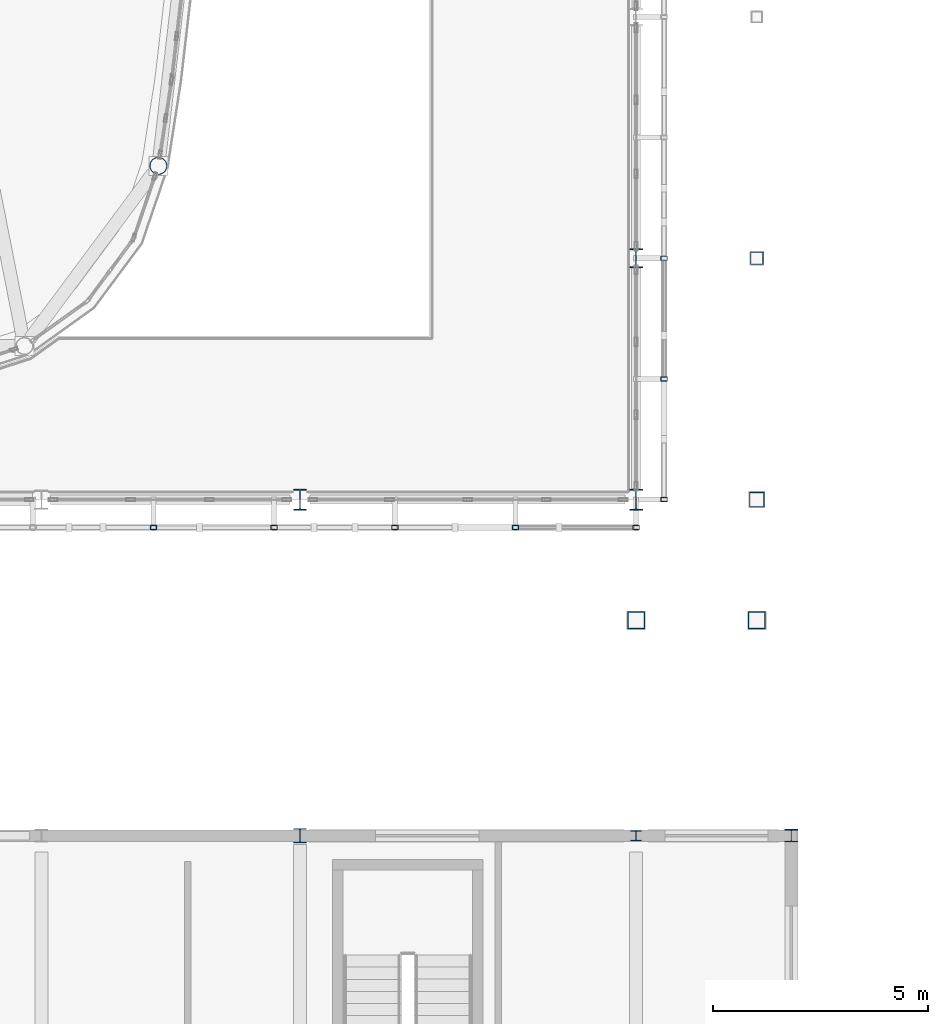
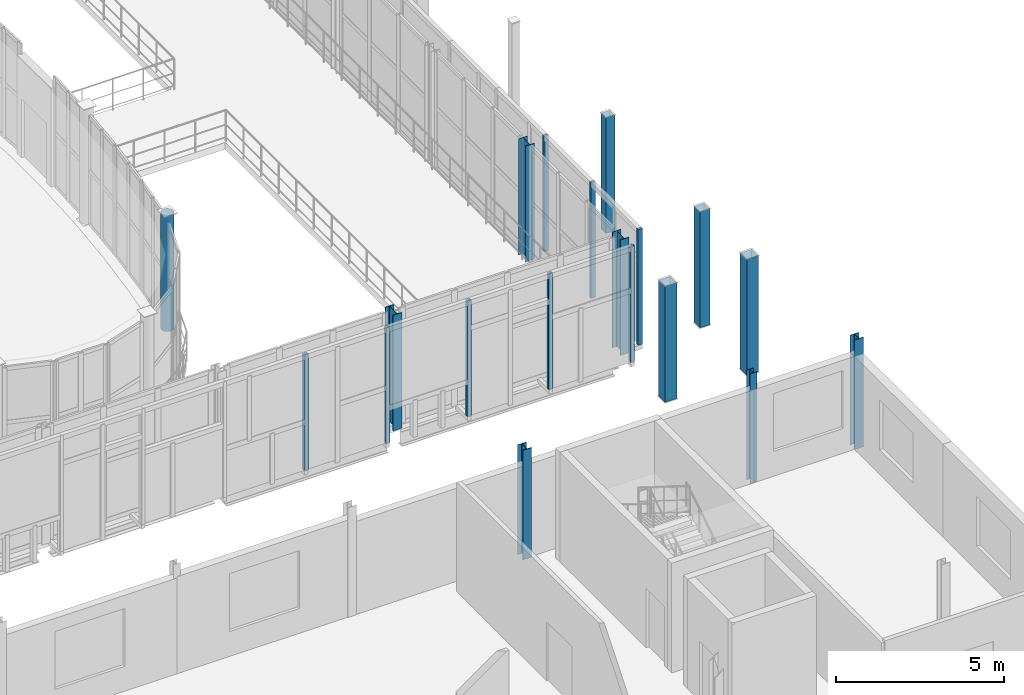
# One storey, part 6 of 121: 19 columns.
"""IFC4 building model written with IfcOpenShell, lengths in metres."""

from ifc_helpers import new_model, si_unit, direction, frame, origin, origin_2d, place, context, subcontext, project, spatial, hollow_rectangle, hollow_circle, i_section, extrude, material, material_profile, profile_set, type_object, element, save


model = new_model("IFC4")

# Units and contexts
model_context = context("Model", 3, precision=1e-05, world=origin(), true_north=direction((0.0, 1.0)))
body_context = subcontext(model_context, "Body", "Model", "MODEL_VIEW")
ifc_project = project(units=[si_unit("LENGTHUNIT", "METRE"), si_unit("AREAUNIT", "SQUARE_METRE"), si_unit("VOLUMEUNIT", "CUBIC_METRE"), si_unit("PLANEANGLEUNIT", "RADIAN"), si_unit("MASSUNIT", "GRAM", prefix="KILO")], contexts=[model_context])

# Site, building, storey
site_placement = place(None, origin())
site = spatial("IfcSite", under=ifc_project, at=site_placement, CompositionType="ELEMENT")
building_placement = place(site_placement, origin())
building = spatial("IfcBuilding", under=site, at=building_placement, Name="Vinh Khe Railworks Police Headquarters", CompositionType="ELEMENT")
storey_placement = place(building_placement, frame((0.0, 0.0, 4.800048828125)))
storey = spatial("IfcBuildingStorey", under=building, at=storey_placement, Name="L01", CompositionType="ELEMENT", Elevation=4.800048828125)

# Columns
ifc_material = material(Name="Steel S355JR", Category="steel")
ifc_material_profile_1 = material_profile(ifc_material, hollow_rectangle(XDim=0.14990234375, YDim=0.10009765625, WallThickness=0.008056640625, at=origin_2d()), Name="RHS 150x100x8")
ifc_profile_set_1 = profile_set([ifc_material_profile_1], Name="Steel S355JR")
column_type_1 = type_object("IfcColumnType", Name="COL-QUILT-POST", PredefinedType="COLUMN", material=ifc_profile_set_1)
for number, where, z_axis, x_axis, name in (
    (1, (48.800048828125, 24.550048828125, 0.0), (0.0, 0.0, 1.0), (1.0, 0.0, 0.0), "Patchwork Quilt Carrier Column S-9 (L01)"),
    (2, (51.60009765625, 24.550048828125, 0.0), (0.0, 0.0, 1.0), (1.0, 0.0, 0.0), "Patchwork Quilt Carrier Column S-10 (L01)"),
    (3, (54.39990234375, 24.550048828125, 0.0), (0.0, 0.0, 1.0), (1.0, 0.0, 0.0), "Patchwork Quilt Carrier Column S-11 (L01)"),
    (4, (57.199951171875, 24.550048828125, 0.0), (0.0, 0.0, 1.0), (1.0, 0.0, 0.0), "Patchwork Quilt Carrier Column S-12 (L01)"),
    (5, (60.0, 24.550048828125, 0.0), (0.0, 0.0, 1.0), (1.0, 0.0, 0.0), "Patchwork Quilt Carrier Column S-13 (L01)"),
    (6, (60.64990234375, 25.199951171875, 0.0), (0.0, 0.0, 1.0), (1.0, 0.0, 0.0), "Patchwork Quilt Carrier Column E-1 (L01)"),
    (7, (60.64990234375, 28.0, 0.0), (0.0, 0.0, 1.0), (1.0, 0.0, 0.0), "Patchwork Quilt Carrier Column E-2 (L01)"),
    (8, (60.64990234375, 30.800048828125, 0.0), (0.0, 0.0, 1.0), (1.0, 0.0, 0.0), "Patchwork Quilt Carrier Column E-3 (L01)"),
):
    element("IfcColumn", number, at=place(storey_placement, frame(where, z_axis=z_axis, x_axis=x_axis)), inside=storey, type_object=column_type_1, Name=name, PredefinedType="COLUMN", context=body_context, shape_type="SweptSolid", body=[
        extrude(hollow_rectangle(XDim=0.14990234375, YDim=0.10009765625, WallThickness=0.008056640625, at=origin_2d()), origin(), (0.0, 0.0, 1.0), 4.199951171875),
    ])
ifc_material_profile_2 = material_profile(ifc_material, hollow_circle(Radius=0.203125, WallThickness=0.01611328125, at=origin_2d()), Name="CHS 406.4x16")
ifc_profile_set_2 = profile_set([ifc_material_profile_2], Name="Steel S355JR")
column_type_2 = type_object("IfcColumnType", Name="Steel Column CHS 406.4x16", PredefinedType="COLUMN", material=ifc_profile_set_2)
column_1_placement = place(storey_placement, frame((48.9130859375, 32.944091796875, 0.0), z_axis=(0.0, 0.0, 1.0), x_axis=(0.988148142789, -0.15350325046, 0.0)))
element("IfcColumn", 9, at=column_1_placement, inside=storey, type_object=column_type_2, Name="Column COL-L01-SC-26-0941", PredefinedType="COLUMN", context=body_context, shape_type="SweptSolid", body=[
    extrude(hollow_circle(Radius=0.203125, WallThickness=0.01611328125, at=origin_2d()), origin(), (0.0, 0.0, 1.0), 4.199951171875),
])
ifc_material_profile_3 = material_profile(ifc_material, i_section(OverallWidth=0.239990234375, OverallDepth=0.22998046875, WebThickness=0.007568359375, FlangeThickness=0.011962890625, FilletRadius=0.02099609375, at=origin_2d()), Name="HEA 240")
ifc_profile_set_3 = profile_set([ifc_material_profile_3], Name="Steel S355JR")
column_type_3 = type_object("IfcColumnType", Name="Steel Column HEA 240", PredefinedType="COLUMN", material=ifc_profile_set_3)
column_2_placement = place(storey_placement, frame((60.0, 17.39990234375, 0.0), z_axis=(0.0, 0.0, 1.0), x_axis=(1.0, 0.0, 0.0)))
element("IfcColumn", 10, at=column_2_placement, inside=storey, type_object=column_type_3, Name="Column COL-L01-SC-20-1000", PredefinedType="COLUMN", context=body_context, shape_type="SweptSolid", body=[
    extrude(i_section(OverallWidth=0.239990234375, OverallDepth=0.22998046875, WebThickness=0.007568359375, FlangeThickness=0.011962890625, FilletRadius=0.02099609375, at=origin_2d()), origin(), (0.0, 0.0, 1.0), 3.97998046875),
])
ifc_material_profile_4 = material_profile(ifc_material, i_section(OverallWidth=0.300048828125, OverallDepth=0.2900390625, WebThickness=0.008544921875, FlangeThickness=0.013916015625, FilletRadius=0.027099609375, at=origin_2d()), Name="HEA 300")
ifc_profile_set_4 = profile_set([ifc_material_profile_4], Name="Steel S355JR")
column_type_4 = type_object("IfcColumnType", Name="Steel Column HEA 300", PredefinedType="COLUMN", material=ifc_profile_set_4)
column_3_placement = place(storey_placement, frame((63.60009765625, 17.39990234375, 0.0), z_axis=(0.0, 0.0, 1.0), x_axis=(1.0, 0.0, 0.0)))
element("IfcColumn", 11, at=column_3_placement, inside=storey, type_object=column_type_4, Name="Column COL-L01-SC-18-1119", PredefinedType="COLUMN", context=body_context, shape_type="SweptSolid", body=[
    extrude(i_section(OverallWidth=0.300048828125, OverallDepth=0.2900390625, WebThickness=0.008544921875, FlangeThickness=0.013916015625, FilletRadius=0.027099609375, at=origin_2d()), origin(), (0.0, 0.0, 1.0), 3.97998046875),
])
ifc_material_profile_5 = material_profile(ifc_material, i_section(OverallWidth=0.300048828125, OverallDepth=0.330078125, WebThickness=0.009521484375, FlangeThickness=0.0166015625, FilletRadius=0.027099609375, at=origin_2d()), Name="HEA 340")
ifc_profile_set_5 = profile_set([ifc_material_profile_5], Name="Steel S355JR")
column_type_5 = type_object("IfcColumnType", Name="Steel Column HEA 340", PredefinedType="COLUMN", material=ifc_profile_set_5)
column_4_placement = place(storey_placement, frame((52.199951171875, 17.39990234375, 0.0), z_axis=(0.0, 0.0, 1.0), x_axis=(1.0, 0.0, 0.0)))
element("IfcColumn", 12, at=column_4_placement, inside=storey, type_object=column_type_5, Name="Column COL-L01-SC-17-0967", PredefinedType="COLUMN", context=body_context, shape_type="SweptSolid", body=[
    extrude(i_section(OverallWidth=0.300048828125, OverallDepth=0.330078125, WebThickness=0.009521484375, FlangeThickness=0.0166015625, FilletRadius=0.027099609375, at=origin_2d()), origin(), (0.0, 0.0, 1.0), 3.97998046875),
])
ifc_material_profile_6 = material_profile(ifc_material, i_section(OverallWidth=0.300048828125, OverallDepth=0.43994140625, WebThickness=0.011474609375, FlangeThickness=0.02099609375, FilletRadius=0.027099609375, at=origin_2d()), Name="HEA 450")
ifc_profile_set_6 = profile_set([ifc_material_profile_6], Name="Steel S355JR")
column_type_6 = type_object("IfcColumnType", Name="Steel Column HEA 450", PredefinedType="COLUMN", material=ifc_profile_set_6)
column_5_placement = place(storey_placement, frame((60.0, 30.800048828125, 0.0), z_axis=(0.0, 0.0, 1.0), x_axis=(1.0, 0.0, 0.0)))
element("IfcColumn", 13, at=column_5_placement, inside=storey, type_object=column_type_6, Name="Column COL-L01-SC-14-1014", PredefinedType="COLUMN", context=body_context, shape_type="SweptSolid", body=[
    extrude(i_section(OverallWidth=0.300048828125, OverallDepth=0.43994140625, WebThickness=0.011474609375, FlangeThickness=0.02099609375, FilletRadius=0.027099609375, at=origin_2d()), origin(), (0.0, 0.0, 1.0), 4.199951171875),
])
ifc_material_profile_7 = material_profile(ifc_material, i_section(OverallWidth=0.300048828125, OverallDepth=0.489990234375, WebThickness=0.011962890625, FlangeThickness=0.02294921875, FilletRadius=0.027099609375, at=origin_2d()), Name="HEA 500")
ifc_profile_set_7 = profile_set([ifc_material_profile_7], Name="Steel S355JR")
column_type_7 = type_object("IfcColumnType", Name="Steel Column HEA 500", PredefinedType="COLUMN", material=ifc_profile_set_7)
for number, where, z_axis, x_axis, name in (
    (14, (52.199951171875, 25.199951171875, 0.0), (0.0, 0.0, 1.0), (1.0, 0.0, 0.0), "Column COL-L01-SC-13-0970"),
    (15, (60.0, 25.199951171875, 0.0), (0.0, 0.0, 1.0), (1.0, 0.0, 0.0), "Column COL-L01-SC-13-1009"),
):
    element("IfcColumn", number, at=place(storey_placement, frame(where, z_axis=z_axis, x_axis=x_axis)), inside=storey, type_object=column_type_7, Name=name, PredefinedType="COLUMN", context=body_context, shape_type="SweptSolid", body=[
        extrude(i_section(OverallWidth=0.300048828125, OverallDepth=0.489990234375, WebThickness=0.011962890625, FlangeThickness=0.02294921875, FilletRadius=0.027099609375, at=origin_2d()), origin(), (0.0, 0.0, 1.0), 4.199951171875),
    ])
ifc_material_profile_8 = material_profile(ifc_material, hollow_rectangle(XDim=0.300048828125, YDim=0.300048828125, WallThickness=0.01611328125, at=origin_2d()), Name="SHS 300x300x16")
ifc_profile_set_8 = profile_set([ifc_material_profile_8], Name="Steel S355JR")
column_type_8 = type_object("IfcColumnType", Name="Steel Column SHS 300x300x16", PredefinedType="COLUMN", material=ifc_profile_set_8)
column_6_placement = place(storey_placement, frame((62.800048828125, 30.800048828125, 0.0), z_axis=(0.0, 0.0, 1.0), x_axis=(1.0, 0.0, 0.0)))
element("IfcColumn", 16, at=column_6_placement, inside=storey, type_object=column_type_8, Name="Column COL-L01-SC-23-1078", PredefinedType="COLUMN", context=body_context, shape_type="SweptSolid", body=[
    extrude(hollow_rectangle(XDim=0.300048828125, YDim=0.300048828125, WallThickness=0.01611328125, at=origin_2d()), origin(), (0.0, 0.0, 1.0), 4.199951171875),
])
ifc_material_profile_9 = material_profile(ifc_material, hollow_rectangle(XDim=0.35009765625, YDim=0.35009765625, WallThickness=0.01611328125, at=origin_2d()), Name="SHS 350x350x16")
ifc_profile_set_9 = profile_set([ifc_material_profile_9], Name="Steel S355JR")
column_type_9 = type_object("IfcColumnType", Name="Steel Column SHS 350x350x16", PredefinedType="COLUMN", material=ifc_profile_set_9)
column_7_placement = place(storey_placement, frame((62.800048828125, 25.199951171875, 0.0), z_axis=(0.0, 0.0, 1.0), x_axis=(1.0, 0.0, 0.0)))
element("IfcColumn", 17, at=column_7_placement, inside=storey, type_object=column_type_9, Name="Column COL-L01-SC-22-1073", PredefinedType="COLUMN", context=body_context, shape_type="SweptSolid", body=[
    extrude(hollow_rectangle(XDim=0.35009765625, YDim=0.35009765625, WallThickness=0.01611328125, at=origin_2d()), origin(), (0.0, 0.0, 1.0), 4.199951171875),
])
ifc_material_profile_10 = material_profile(ifc_material, hollow_rectangle(XDim=0.39990234375, YDim=0.39990234375, WallThickness=0.02001953125, at=origin_2d()), Name="SHS 400x400x20")
ifc_profile_set_10 = profile_set([ifc_material_profile_10], Name="Steel S355JR")
column_type_10 = type_object("IfcColumnType", Name="Steel Column SHS 400x400x20", PredefinedType="COLUMN", material=ifc_profile_set_10)
for number, where, z_axis, x_axis, name in (
    (18, (60.0, 22.39990234375, 0.0), (0.0, 0.0, 1.0), (1.0, 0.0, 0.0), "Column COL-L01-SC-21-1004"),
    (19, (62.800048828125, 22.39990234375, 0.0), (0.0, 0.0, 1.0), (1.0, 0.0, 0.0), "Column COL-L01-SC-21-1068"),
):
    element("IfcColumn", number, at=place(storey_placement, frame(where, z_axis=z_axis, x_axis=x_axis)), inside=storey, type_object=column_type_10, Name=name, PredefinedType="COLUMN", context=body_context, shape_type="SweptSolid", body=[
        extrude(hollow_rectangle(XDim=0.39990234375, YDim=0.39990234375, WallThickness=0.02001953125, at=origin_2d()), origin(), (0.0, 0.0, 1.0), 4.199951171875),
    ])

save(model, "model.ifc")
